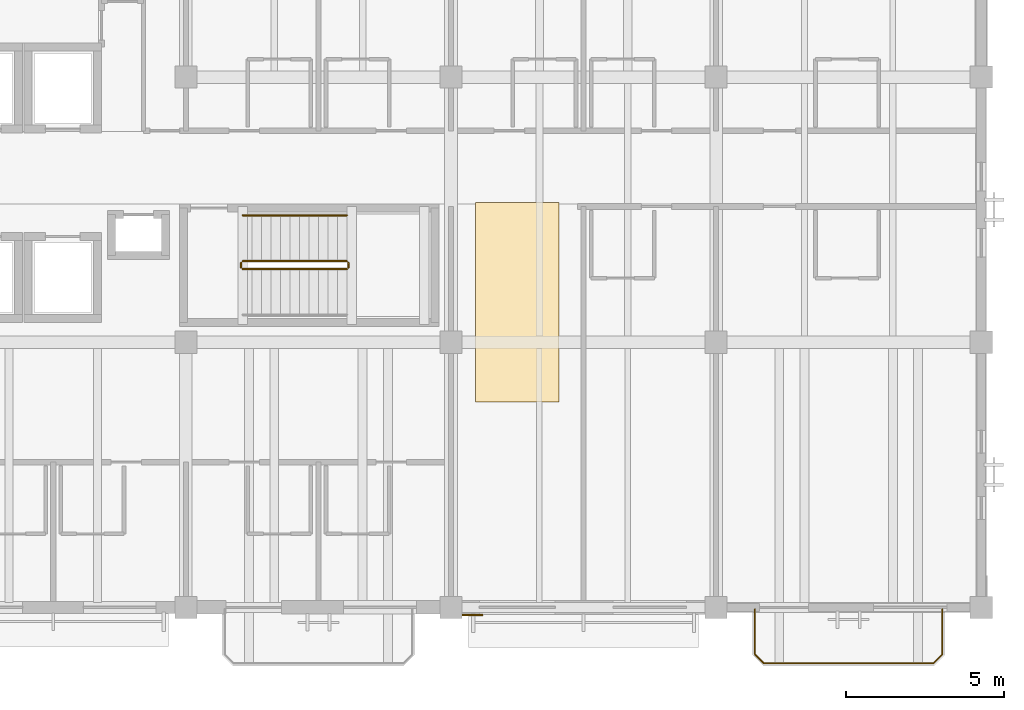
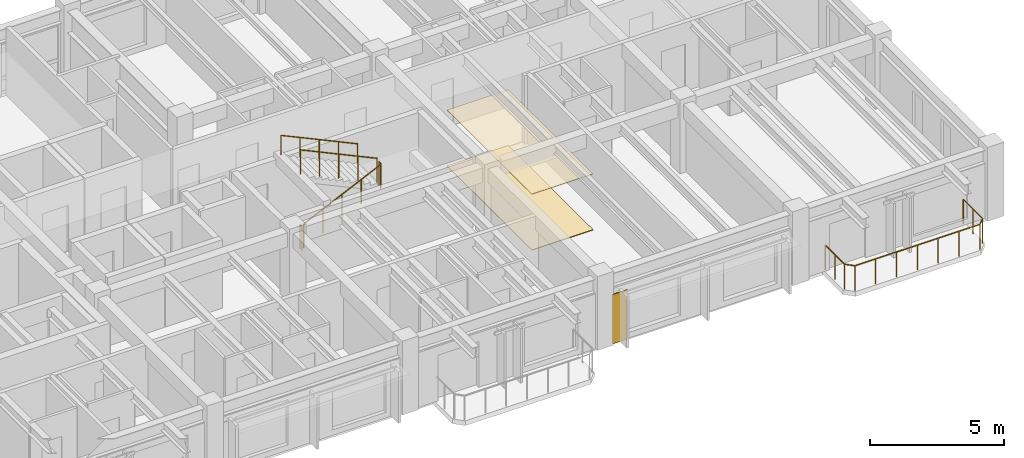
# One storey, part 17 of 18: 6 railings, 3 coverings.
"""IFC4 building model written with IfcOpenShell, lengths in metres."""

from ifc_helpers import new_model, si_unit, direction, frame, origin, origin_2d, place, context, subcontext, project, spatial, polyline, circle, outline, extrude, material, layer, layer_set, type_object, element, save


model = new_model("IFC4")

# Units and contexts
model_context = context("Model", 3, precision=1e-05, world=origin(), true_north=direction((0.0, 1.0)))
body_context = subcontext(model_context, "Body", "Model", "MODEL_VIEW")
ifc_project = project(units=[si_unit("LENGTHUNIT", "METRE"), si_unit("AREAUNIT", "SQUARE_METRE"), si_unit("VOLUMEUNIT", "CUBIC_METRE"), si_unit("PLANEANGLEUNIT", "RADIAN"), si_unit("MASSUNIT", "GRAM", prefix="KILO")], contexts=[model_context])

# Site, building, storey
site_placement = place(None, origin())
site = spatial("IfcSite", under=ifc_project, at=site_placement, CompositionType="ELEMENT")
building_placement = place(site_placement, origin())
building = spatial("IfcBuilding", under=site, at=building_placement, Name="Cumbredor Promenade Congress Hotel", CompositionType="ELEMENT")
storey_placement = place(building_placement, frame((0.0, 0.0, 25.199951171875)))
storey = spatial("IfcBuildingStorey", under=building, at=storey_placement, Name="L07", CompositionType="ELEMENT", Elevation=25.199951171875)

# Coverings
ifc_material_1 = material(Name="Acoustic mineral-fiber and gypsum ceiling")
ifc_layer_1 = layer(ifc_material_1, 0.031982421875, Name="Acoustic mineral-fiber and gypsum ceiling")
ifc_layer_set_1 = layer_set([ifc_layer_1], Name="Acoustic mineral-fiber and gypsum ceiling")
covering_type_1 = type_object("IfcCoveringType", Name="Acoustic Perforated Gypsum Ceiling CLG-04 32mm", PredefinedType="CEILING", material=ifc_layer_set_1)
covering_1_placement = place(storey_placement, frame((0.0, 0.0, 2.5400390625)))
element("IfcCovering", 1, at=covering_1_placement, inside=storey, type_object=covering_type_1, Name="L07 East Corridor Connector Acoustic Ceiling", PredefinedType="CEILING", context=body_context, shape_type="SweptSolid", body=[
    extrude(outline(polyline([(53.820068359375, 98.89990234375), (53.820068359375, 105.219970703125), (51.179931640625, 105.219970703125), (51.179931640625, 98.89990234375), (53.820068359375, 98.89990234375)])), origin(), (0.0, 0.0, 1.0), 0.031982421875),
])
ifc_material_2 = material(Name="Precast concrete C40/50", Category="concrete")
ifc_layer_2 = layer(ifc_material_2, 0.044921875, Name="Precast concrete C40/50", Category="concrete")
ifc_layer_set_2 = layer_set([ifc_layer_2], Name="Precast concrete C40/50")
covering_type_2 = type_object("IfcCoveringType", Name="Board-Formed Architectural Cladding Panel 45mm", PredefinedType="CLADDING", material=ifc_layer_set_2)
covering_2_placement = place(storey_placement, origin())
element("IfcCovering", 2, at=covering_2_placement, inside=storey, type_object=covering_type_2, Name="L07 Facade Stone Cladding Pier 224", PredefinedType="CLADDING", context=body_context, shape_type="SweptSolid", body=[
    extrude(outline(polyline([(50.7509765625, 92.175048828125), (51.40087890625, 92.175048828125), (51.40087890625, 92.1298828125), (50.7509765625, 92.1298828125), (50.7509765625, 92.175048828125)])), origin(), (0.0, 0.0, 1.0), 2.25),
])

# Railings
ifc_material_3 = material(Name="Brushed stainless steel", Category="steel")
railing_type_1 = type_object("IfcRailingType", Name="Interior Void & Stair Guardrail GR-1100", PredefinedType="GUARDRAIL", material=ifc_material_3)
railing_1_placement = place(storey_placement, frame((43.800048828125, 103.1201171875, 0.14013671875)))
element("IfcRailing", 3, at=railing_1_placement, inside=storey, type_object=railing_type_1, Name="L07 ST-03 stair guard 1", PredefinedType="GUARDRAIL", context=body_context, shape_type="SweptSolid", body=[
    extrude(circle(Radius=0.02392578125, at=origin_2d()), frame((0.0, 0.0, 1.09619140625), z_axis=(0.906207117075, 0.0, 0.422834082074), x_axis=(0.0, 1.0, 0.0)), (0.0, 0.0, 1.0), 3.6416015625),
    extrude(circle(Radius=0.02099609375, at=origin_2d()), origin(), (0.0, 0.0, 1.0), 1.072021484375),
    extrude(circle(Radius=0.02099609375, at=origin_2d()), frame((0.824951171875, 0.0, 0.385009765625)), (0.0, 0.0, 1.0), 1.072021484375),
    extrude(circle(Radius=0.02099609375, at=origin_2d()), frame((1.64990234375, 0.0, 0.77001953125)), (0.0, 0.0, 1.0), 1.072021484375),
    extrude(circle(Radius=0.02099609375, at=origin_2d()), frame((2.47509765625, 0.0, 1.15478515625)), (0.0, 0.0, 1.0), 1.072021484375),
    extrude(circle(Radius=0.02099609375, at=origin_2d()), frame((3.300048828125, 0.0, 1.539794921875)), (0.0, 0.0, 1.0), 1.072021484375),
])
railing_2_placement = place(storey_placement, frame((47.14990234375, 103.169921875, 1.679931640625)))
element("IfcRailing", 4, at=railing_2_placement, inside=storey, type_object=railing_type_1, Name="L07 ST-03 stair guard 2", PredefinedType="GUARDRAIL", context=body_context, shape_type="SweptSolid", body=[
    extrude(circle(Radius=0.02392578125, at=origin_2d()), frame((0.0, 0.0, 1.09619140625), z_axis=(0.0, 1.0, 0.0), x_axis=(-1.0, 0.0, 0.0)), (0.0, 0.0, 1.0), 0.150146484375),
    extrude(circle(Radius=0.02099609375, at=origin_2d()), origin(), (0.0, 0.0, 1.0), 1.072021484375),
    extrude(circle(Radius=0.02099609375, at=origin_2d()), frame((0.0, 0.150146484375, 0.0)), (0.0, 0.0, 1.0), 1.072021484375),
])
railing_3_placement = place(storey_placement, frame((47.10009765625, 103.3701171875, 1.820068359375)))
element("IfcRailing", 5, at=railing_3_placement, inside=storey, type_object=railing_type_1, Name="L07 ST-03 stair guard 3", PredefinedType="GUARDRAIL", context=body_context, shape_type="SweptSolid", body=[
    extrude(circle(Radius=0.02392578125, at=origin_2d()), frame((0.0, 0.0, 1.09619140625), z_axis=(-0.906181427284, 0.0, 0.422889135408), x_axis=(0.0, -1.0, 0.0)), (0.0, 0.0, 1.0), 3.6416015625),
    extrude(circle(Radius=0.02099609375, at=origin_2d()), origin(), (0.0, 0.0, 1.0), 1.072021484375),
    extrude(circle(Radius=0.02099609375, at=origin_2d()), frame((-0.824951171875, 0.0, 0.385009765625)), (0.0, 0.0, 1.0), 1.072021484375),
    extrude(circle(Radius=0.02099609375, at=origin_2d()), frame((-1.64990234375, 0.0, 0.77001953125)), (0.0, 0.0, 1.0), 1.072021484375),
    extrude(circle(Radius=0.02099609375, at=origin_2d()), frame((-2.47509765625, 0.0, 1.155029296875)), (0.0, 0.0, 1.0), 1.072021484375),
    extrude(circle(Radius=0.02099609375, at=origin_2d()), frame((-3.300048828125, 0.0, 1.5400390625)), (0.0, 0.0, 1.0), 1.072021484375),
])
railing_4_placement = place(storey_placement, frame((43.75, 103.169921875, 0.0)))
element("IfcRailing", 6, at=railing_4_placement, inside=storey, type_object=railing_type_1, Name="L07 ST-03 stair guard 4", PredefinedType="GUARDRAIL", context=body_context, shape_type="SweptSolid", body=[
    extrude(circle(Radius=0.02392578125, at=origin_2d()), frame((0.0, 0.0, 1.09619140625), z_axis=(0.0, 1.0, 0.0), x_axis=(-1.0, 0.0, 0.0)), (0.0, 0.0, 1.0), 0.150146484375),
    extrude(circle(Radius=0.02099609375, at=origin_2d()), origin(), (0.0, 0.0, 1.0), 1.072021484375),
    extrude(circle(Radius=0.02099609375, at=origin_2d()), frame((0.0, 0.150146484375, 0.0)), (0.0, 0.0, 1.0), 1.072021484375),
])

# Covering
ifc_material_4 = material(Name="Porcelain stoneware tile", Category="masonry")
ifc_layer_3 = layer(ifc_material_4, 0.030029296875, Name="Porcelain stoneware tile", Category="masonry")
ifc_layer_set_3 = layer_set([ifc_layer_3], Name="Porcelain stoneware tile")
covering_type_3 = type_object("IfcCoveringType", Name="Porcelain Stoneware Flooring FLR-03 30mm", PredefinedType="FLOORING", material=ifc_layer_set_3)
covering_3_placement = place(storey_placement, origin())
element("IfcCovering", 7, at=covering_3_placement, inside=storey, type_object=covering_type_3, Name="L07 East Corridor Connector Porcelain Flooring", PredefinedType="FLOORING", context=body_context, shape_type="SweptSolid", body=[
    extrude(outline(polyline([(53.820068359375, 98.89990234375), (53.820068359375, 105.219970703125), (51.179931640625, 105.219970703125), (51.179931640625, 98.89990234375), (53.820068359375, 98.89990234375)])), origin(), (0.0, 0.0, 1.0), 0.030029296875),
])

# Railings
railing_type_2 = type_object("IfcRailingType", Name="Sky Garden Glass-and-Steel Balustrade BAL-1150", PredefinedType="BALUSTRADE", material=ifc_material_3)
railing_5_placement = place(storey_placement, frame((60.030029296875, 92.35009765625, 0.0)))
element("IfcRailing", 8, at=railing_5_placement, inside=storey, type_object=railing_type_2, Name="L07 Veranda Balcony Balustrade 048", PredefinedType="BALUSTRADE", context=body_context, shape_type="SweptSolid", body=[
    extrude(circle(Radius=0.02392578125, at=origin_2d()), frame((0.0, 0.0, 1.1259765625), z_axis=(0.0, -1.0, 0.0), x_axis=(1.0, 0.0, 0.0)), (0.0, 0.0, 1.0), 1.440185546875),
    extrude(circle(Radius=0.02392578125, at=origin_2d()), frame((0.0, -1.440185546875, 1.1259765625), z_axis=(0.707106781187, -0.707106781187, 0.0), x_axis=(0.707106781187, 0.707106781187, 0.0)), (0.0, 0.0, 1.0), 0.39599609375),
    extrude(circle(Radius=0.02392578125, at=origin_2d()), frame((0.280029296875, -1.72021484375, 1.1259765625), z_axis=(1.0, 0.0, 0.0), x_axis=(0.0, 1.0, 0.0)), (0.0, 0.0, 1.0), 5.3798828125),
    extrude(circle(Radius=0.02392578125, at=origin_2d()), frame((5.659912109375, -1.72021484375, 1.1259765625), z_axis=(0.707106781187, 0.707106781187, 0.0), x_axis=(-0.707106781187, 0.707106781187, 0.0)), (0.0, 0.0, 1.0), 0.39599609375),
    extrude(circle(Radius=0.02392578125, at=origin_2d()), frame((5.93994140625, -1.440185546875, 1.1259765625), z_axis=(0.0, 1.0, 0.0), x_axis=(-1.0, 0.0, 0.0)), (0.0, 0.0, 1.0), 1.440185546875),
    extrude(circle(Radius=0.02099609375, at=origin_2d()), origin(), (0.0, 0.0, 1.0), 1.101806640625),
    extrude(circle(Radius=0.02099609375, at=origin_2d()), frame((0.0, -0.72021484375, 0.0)), (0.0, 0.0, 1.0), 1.101806640625),
    extrude(circle(Radius=0.02099609375, at=origin_2d()), frame((0.0, -1.440185546875, 0.0)), (0.0, 0.0, 1.0), 1.101806640625),
    extrude(circle(Radius=0.02099609375, at=origin_2d()), frame((0.280029296875, -1.72021484375, 0.0)), (0.0, 0.0, 1.0), 1.101806640625),
    extrude(circle(Radius=0.02099609375, at=origin_2d()), frame((1.1767578125, -1.72021484375, 0.0)), (0.0, 0.0, 1.0), 1.101806640625),
    extrude(circle(Radius=0.02099609375, at=origin_2d()), frame((2.0732421875, -1.72021484375, 0.0)), (0.0, 0.0, 1.0), 1.101806640625),
    extrude(circle(Radius=0.02099609375, at=origin_2d()), frame((2.969970703125, -1.72021484375, 0.0)), (0.0, 0.0, 1.0), 1.101806640625),
    extrude(circle(Radius=0.02099609375, at=origin_2d()), frame((3.86669921875, -1.72021484375, 0.0)), (0.0, 0.0, 1.0), 1.101806640625),
    extrude(circle(Radius=0.02099609375, at=origin_2d()), frame((4.76318359375, -1.72021484375, 0.0)), (0.0, 0.0, 1.0), 1.101806640625),
    extrude(circle(Radius=0.02099609375, at=origin_2d()), frame((5.659912109375, -1.72021484375, 0.0)), (0.0, 0.0, 1.0), 1.101806640625),
    extrude(circle(Radius=0.02099609375, at=origin_2d()), frame((5.93994140625, -1.440185546875, 0.0)), (0.0, 0.0, 1.0), 1.101806640625),
    extrude(circle(Radius=0.02099609375, at=origin_2d()), frame((5.93994140625, -0.72021484375, 0.0)), (0.0, 0.0, 1.0), 1.101806640625),
    extrude(circle(Radius=0.02099609375, at=origin_2d()), frame((5.93994140625, 0.0, 0.0)), (0.0, 0.0, 1.0), 1.101806640625),
])
railing_type_3 = type_object("IfcRailingType", Name="Stair Pitch Handrail HR-900", PredefinedType="HANDRAIL", material=ifc_material_3)
railing_6_placement = place(storey_placement, frame((47.10009765625, 104.820068359375, 1.820068359375)))
element("IfcRailing", 9, at=railing_6_placement, inside=storey, type_object=railing_type_3, Name="L07 ST-03 stair handrail 2", PredefinedType="HANDRAIL", context=body_context, shape_type="SweptSolid", body=[
    extrude(circle(Radius=0.02392578125, at=origin_2d()), frame((0.0, 0.0, 0.8759765625), z_axis=(-0.906181427284, 0.0, 0.422889135408), x_axis=(0.0, -1.0, 0.0)), (0.0, 0.0, 1.0), 3.6416015625),
    extrude(circle(Radius=0.02099609375, at=origin_2d()), origin(), (0.0, 0.0, 1.0), 0.851806640625),
    extrude(circle(Radius=0.02099609375, at=origin_2d()), frame((-0.824951171875, 0.0, 0.385009765625)), (0.0, 0.0, 1.0), 0.851806640625),
    extrude(circle(Radius=0.02099609375, at=origin_2d()), frame((-1.64990234375, 0.0, 0.77001953125)), (0.0, 0.0, 1.0), 0.851806640625),
    extrude(circle(Radius=0.02099609375, at=origin_2d()), frame((-2.47509765625, 0.0, 1.155029296875)), (0.0, 0.0, 1.0), 0.851806640625),
    extrude(circle(Radius=0.02099609375, at=origin_2d()), frame((-3.300048828125, 0.0, 1.5400390625)), (0.0, 0.0, 1.0), 0.851806640625),
])

save(model, "model.ifc")
